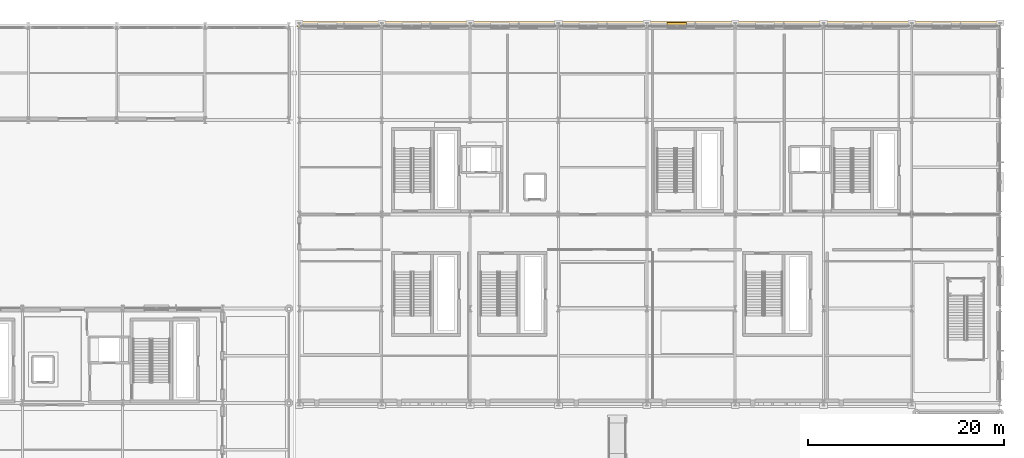
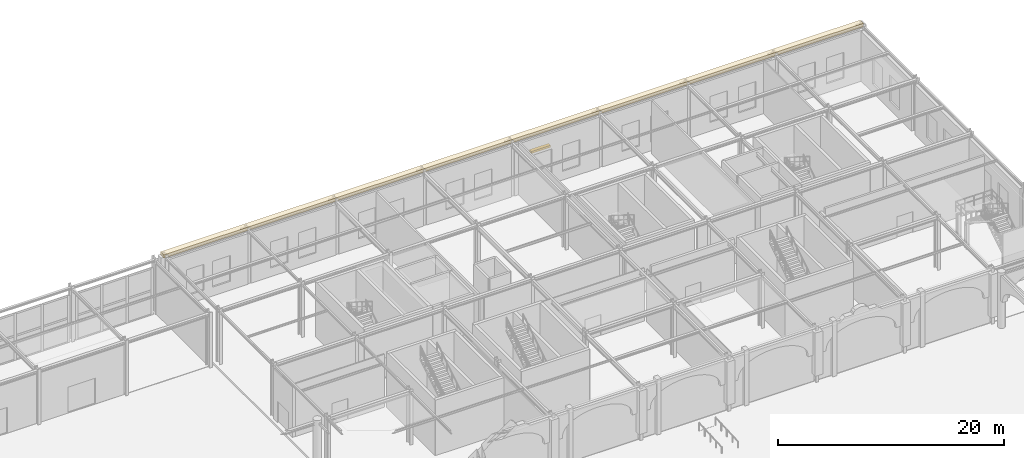
# One storey, part 110 of 113: 1 covering, 1 shading device.
"""IFC4 building model written with IfcOpenShell, lengths in metres."""

from ifc_helpers import new_model, si_unit, direction, frame, origin, origin_2d, place, context, subcontext, project, spatial, rectangle, extrude, material, layer, layer_set, type_object, element, save


model = new_model("IFC4")

# Units and contexts
model_context = context("Model", 3, precision=1e-05, world=origin(), true_north=direction((0.0, 1.0)))
body_context = subcontext(model_context, "Body", "Model", "MODEL_VIEW")
ifc_project = project(units=[si_unit("LENGTHUNIT", "METRE"), si_unit("AREAUNIT", "SQUARE_METRE"), si_unit("VOLUMEUNIT", "CUBIC_METRE"), si_unit("PLANEANGLEUNIT", "RADIAN"), si_unit("MASSUNIT", "GRAM", prefix="KILO")], contexts=[model_context])

# Site, building, storey
site_placement = place(None, origin())
site = spatial("IfcSite", under=ifc_project, at=site_placement, CompositionType="ELEMENT")
building_placement = place(site_placement, origin())
building = spatial("IfcBuilding", under=site, at=building_placement, Name="Myrtia Square Station", CompositionType="ELEMENT")
storey_placement = place(building_placement, origin())
storey = spatial("IfcBuildingStorey", under=building, at=storey_placement, Name="L00", CompositionType="ELEMENT", Elevation=0.0)

# Covering
ifc_material_1 = material(Name="Pentelic marble ashlar", Category="masonry")
ifc_layer = layer(ifc_material_1, 0.47998046875, Name="Pentelic marble ashlar")
ifc_layer_set = layer_set([ifc_layer], Name="Pentelic marble ashlar")
covering_type = type_object("IfcCoveringType", Name="COV-CORNICE-ASHLAR", PredefinedType="MOLDING", material=ifc_layer_set)
covering_placement = place(storey_placement, frame((153.199951171875, 124.969970703125, 5.6201171875), z_axis=(0.0, 0.0, 1.0), x_axis=(1.0, 0.0, 0.0)))
element("IfcCovering", 1, at=covering_placement, inside=storey, type_object=covering_type, Name="Classical entablature cornice moulding 009", PredefinedType="MOLDING", context=body_context, shape_type="SweptSolid", body=[
    extrude(rectangle(XDim=71.60009765625, YDim=0.580078125, at=origin_2d()), origin(), (0.0, 0.0, 1.0), 0.360107421875),
])

# Shading device
ifc_material_2 = material(Name="Dark bronze anodised aluminium", Category="aluminium")
shading_device_type = type_object("IfcShadingDeviceType", Name="SHD-JALOUSIE-BRONZE", PredefinedType="JALOUSIE", material=ifc_material_2)
shading_device_placement = place(storey_placement, frame((156.052001953125, 124.949951171875, 3.68994140625), z_axis=(0.0, 0.0, 1.0), x_axis=(1.0, 0.0, 0.0)))
element("IfcShadingDevice", 2, at=shading_device_placement, inside=storey, type_object=shading_device_type, Name="Mediterranean bronze solar louvre SHL-035", PredefinedType="JALOUSIE", context=body_context, shape_type="SweptSolid", body=[
    extrude(rectangle(XDim=1.9599609375, YDim=0.35009765625, at=origin_2d()), origin(), (0.0, 0.0, 1.0), 0.219970703125),
])

save(model, "model.ifc")
